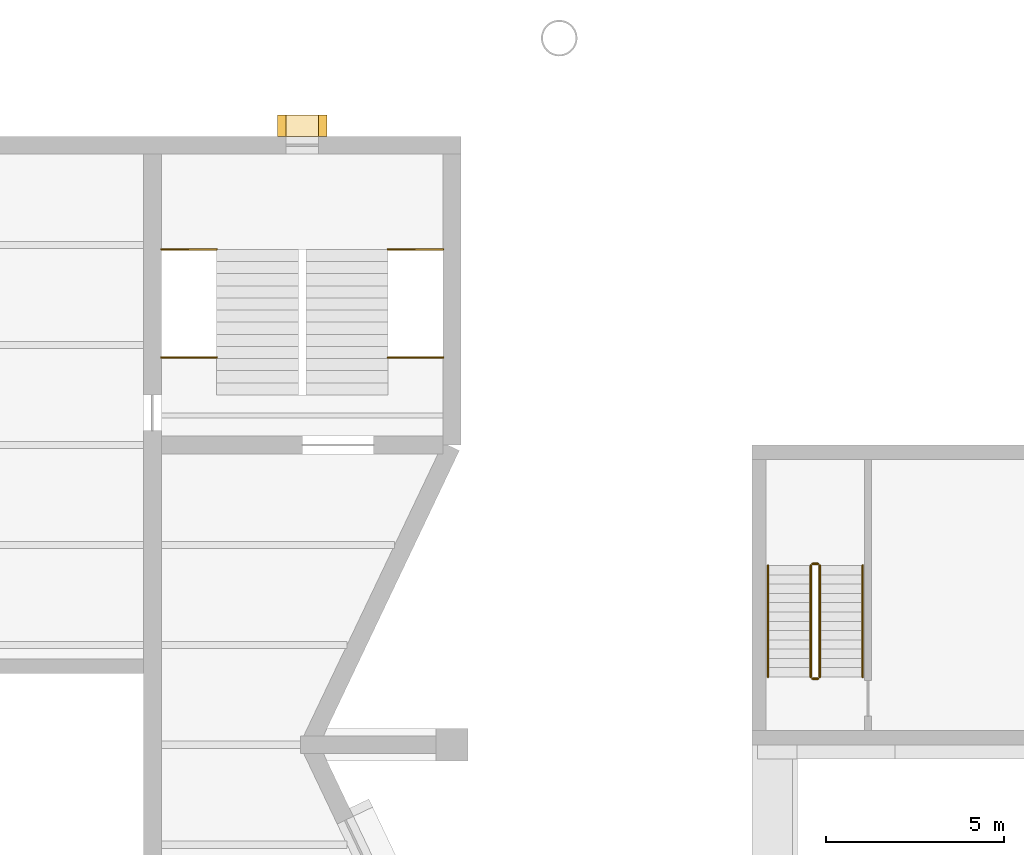
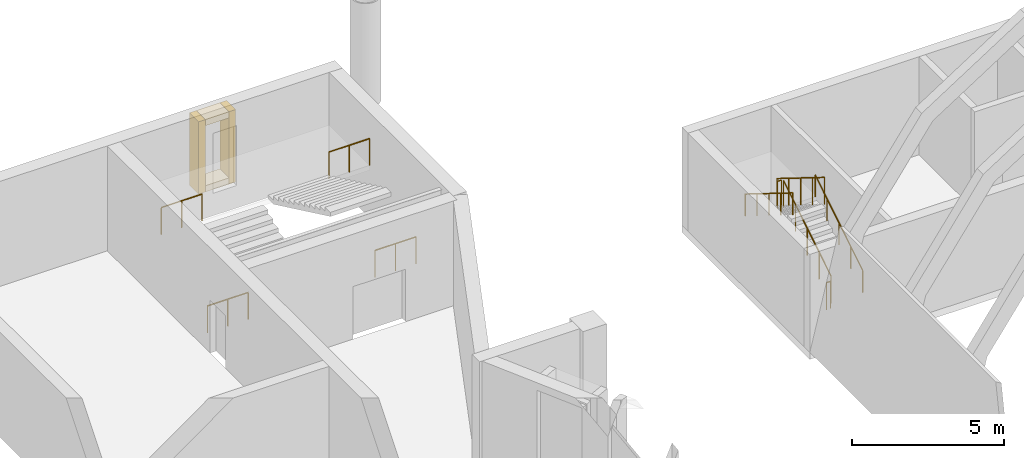
# One storey, part 90 of 96: 10 railings, 4 coverings.
"""IFC4 building model written with IfcOpenShell, lengths in metres."""

from ifc_helpers import new_model, si_unit, direction, frame, origin, origin_2d, place, context, subcontext, project, spatial, rectangle, circle, extrude, material, type_object, element, save


model = new_model("IFC4")

# Units and contexts
model_context = context("Model", 3, precision=1e-05, world=origin(), true_north=direction((0.0, 1.0)))
body_context = subcontext(model_context, "Body", "Model", "MODEL_VIEW")
ifc_project = project(units=[si_unit("LENGTHUNIT", "METRE"), si_unit("AREAUNIT", "SQUARE_METRE"), si_unit("VOLUMEUNIT", "CUBIC_METRE"), si_unit("PLANEANGLEUNIT", "RADIAN"), si_unit("MASSUNIT", "GRAM", prefix="KILO")], contexts=[model_context])

# Site, building, storey
site_placement = place(None, origin())
site = spatial("IfcSite", under=ifc_project, at=site_placement, CompositionType="ELEMENT")
building_placement = place(site_placement, origin())
building = spatial("IfcBuilding", under=site, at=building_placement, Name="Cresset Court Congress Hotel", CompositionType="ELEMENT")
storey_placement = place(building_placement, frame((0.0, 0.0, 6.0)))
storey = spatial("IfcBuildingStorey", under=building, at=storey_placement, Name="L01", CompositionType="ELEMENT", Elevation=6.0)

# Railings
ifc_material_1 = material(Name="Steel and laminated glass", Category="steel")
railing_type_1 = type_object("IfcRailingType", Name="Guard 1100 steel and glass", PredefinedType="GUARDRAIL", material=ifc_material_1)
for number, where, name in (
    (1, (109.449951171875, 111.64990234375, 0.0), "Guard CC-C4L01a"),
    (2, (115.800048828125, 111.64990234375, 0.0), "Guard CC-C4L01b"),
    (3, (109.449951171875, 114.679931640625, 2.10009765625), "Guard CC-C4L01a"),
    (4, (115.800048828125, 114.679931640625, 2.10009765625), "Guard CC-C4L01b"),
):
    element("IfcRailing", number, at=place(storey_placement, frame(where)), inside=storey, type_object=railing_type_1, Name=name, PredefinedType="GUARDRAIL", context=body_context, shape_type="SweptSolid", body=[
        extrude(circle(Radius=0.02490234375, at=origin_2d()), frame((0.0, 0.0, 1.0751953125), z_axis=(1.0, 0.0, 0.0), x_axis=(0.0, 1.0, 0.0)), (0.0, 0.0, 1.0), 1.550048828125),
        extrude(circle(Radius=0.02001953125, at=origin_2d()), origin(), (0.0, 0.0, 1.0), 1.050048828125),
        extrude(circle(Radius=0.02001953125, at=origin_2d()), frame((0.77490234375, 0.0, 0.0)), (0.0, 0.0, 1.0), 1.050048828125),
        extrude(circle(Radius=0.02001953125, at=origin_2d()), frame((1.550048828125, 0.0, 0.0)), (0.0, 0.0, 1.0), 1.050048828125),
    ])
ifc_material_2 = material(Name="Stainless steel", Category="steel")
railing_type_2 = type_object("IfcRailingType", Name="Handrail 900", PredefinedType="HANDRAIL", material=ifc_material_2)
railing_1_placement = place(storey_placement, frame((129.10009765625, 102.699951171875, 0.16162109375)))
element("IfcRailing", 5, at=railing_1_placement, inside=storey, type_object=railing_type_2, Name="L01 ST-E1 stair handrail 1", PredefinedType="HANDRAIL", context=body_context, shape_type="SweptSolid", body=[
    extrude(circle(Radius=0.02392578125, at=origin_2d()), frame((0.0, 0.0, 0.8759765625), z_axis=(0.0, 0.849414166554, 0.527726798313), x_axis=(-1.0, 0.0, 0.0)), (0.0, 0.0, 1.0), 3.67333984375),
    extrude(circle(Radius=0.02099609375, at=origin_2d()), origin(), (0.0, 0.0, 1.0), 0.851806640625),
    extrude(circle(Radius=0.02099609375, at=origin_2d()), frame((0.0, 0.780029296875, 0.484619140625)), (0.0, 0.0, 1.0), 0.851806640625),
    extrude(circle(Radius=0.02099609375, at=origin_2d()), frame((0.0, 1.56005859375, 0.96923828125)), (0.0, 0.0, 1.0), 0.851806640625),
    extrude(circle(Radius=0.02099609375, at=origin_2d()), frame((0.0, 2.340087890625, 1.453857421875)), (0.0, 0.0, 1.0), 0.851806640625),
    extrude(circle(Radius=0.02099609375, at=origin_2d()), frame((0.0, 3.1201171875, 1.9384765625)), (0.0, 0.0, 1.0), 0.851806640625),
])
railing_2_placement = place(storey_placement, frame((126.449951171875, 105.820068359375, 2.261474609375)))
element("IfcRailing", 6, at=railing_2_placement, inside=storey, type_object=railing_type_2, Name="L01 ST-E1 stair handrail 2", PredefinedType="HANDRAIL", context=body_context, shape_type="SweptSolid", body=[
    extrude(circle(Radius=0.02392578125, at=origin_2d()), frame((0.0, 0.0, 0.8759765625), z_axis=(0.0, -0.849414166554, 0.527726798313), x_axis=(1.0, 0.0, 0.0)), (0.0, 0.0, 1.0), 3.67333984375),
    extrude(circle(Radius=0.02099609375, at=origin_2d()), origin(), (0.0, 0.0, 1.0), 0.851806640625),
    extrude(circle(Radius=0.02099609375, at=origin_2d()), frame((0.0, -0.780029296875, 0.484619140625)), (0.0, 0.0, 1.0), 0.851806640625),
    extrude(circle(Radius=0.02099609375, at=origin_2d()), frame((0.0, -1.56005859375, 0.96923828125)), (0.0, 0.0, 1.0), 0.851806640625),
    extrude(circle(Radius=0.02099609375, at=origin_2d()), frame((0.0, -2.340087890625, 1.453857421875)), (0.0, 0.0, 1.0), 0.851806640625),
    extrude(circle(Radius=0.02099609375, at=origin_2d()), frame((0.0, -3.1201171875, 1.9384765625)), (0.0, 0.0, 1.0), 0.851806640625),
])

# Coverings
ifc_material_3 = material(Name="Precast concrete C50", Category="concrete")
covering_type = type_object("IfcCoveringType", Name="Precast reveal frame member 250x600", PredefinedType="CLADDING", material=ifc_material_3)
for number, where, z_axis, x_axis, name in (
    (7, (112.824951171875, 118.14990234375, 0.650146484375), (0.0, 0.0, 1.0), (1.0, 0.0, 0.0), "Reveal frame NC-01-C4a"),
    (8, (113.97509765625, 118.14990234375, 0.650146484375), (0.0, 0.0, 1.0), (1.0, 0.0, 0.0), "Reveal frame NC-01-C4b"),
):
    element("IfcCovering", number, at=place(storey_placement, frame(where, z_axis=z_axis, x_axis=x_axis)), inside=storey, type_object=covering_type, Name=name, PredefinedType="CLADDING", context=body_context, shape_type="SweptSolid", body=[
        extrude(rectangle(XDim=0.25, YDim=0.60009765625, at=origin_2d()), origin(), (0.0, 0.0, 1.0), 2.89990234375),
    ])
for number, where, z_axis, x_axis, name in (
    (9, (113.39990234375, 118.14990234375, 3.300048828125), (0.0, 0.0, 1.0), (1.0, 0.0, 0.0), "Reveal frame NC-01-C4c"),
    (10, (113.39990234375, 118.14990234375, 0.64990234375), (0.0, 0.0, 1.0), (1.0, 0.0, 0.0), "Reveal frame NC-01-C4d"),
):
    element("IfcCovering", number, at=place(storey_placement, frame(where, z_axis=z_axis, x_axis=x_axis)), inside=storey, type_object=covering_type, Name=name, PredefinedType="CLADDING", context=body_context, shape_type="SweptSolid", body=[
        extrude(rectangle(XDim=0.89990234375, YDim=0.60009765625, at=origin_2d()), origin(), (0.0, 0.0, 1.0), 0.25),
    ])

# Railings
ifc_material_4 = material(Name="Stainless steel", Category="steel")
railing_type_3 = type_object("IfcRailingType", Name="Stair guard 1100 internal", PredefinedType="GUARDRAIL", material=ifc_material_4)
railing_3_placement = place(storey_placement, frame((127.89990234375, 102.699951171875, 0.16162109375)))
element("IfcRailing", 11, at=railing_3_placement, inside=storey, type_object=railing_type_3, Name="L01 ST-E1 stair guard 1", PredefinedType="GUARDRAIL", context=body_context, shape_type="SweptSolid", body=[
    extrude(circle(Radius=0.02392578125, at=origin_2d()), frame((0.0, 0.0, 1.076171875), z_axis=(0.0, 0.849414166554, 0.527726798313), x_axis=(-1.0, 0.0, 0.0)), (0.0, 0.0, 1.0), 3.67333984375),
    extrude(circle(Radius=0.02099609375, at=origin_2d()), origin(), (0.0, 0.0, 1.0), 1.052001953125),
    extrude(circle(Radius=0.02099609375, at=origin_2d()), frame((0.0, 0.780029296875, 0.484619140625)), (0.0, 0.0, 1.0), 1.052001953125),
    extrude(circle(Radius=0.02099609375, at=origin_2d()), frame((0.0, 1.56005859375, 0.96923828125)), (0.0, 0.0, 1.0), 1.052001953125),
    extrude(circle(Radius=0.02099609375, at=origin_2d()), frame((0.0, 2.340087890625, 1.453857421875)), (0.0, 0.0, 1.0), 1.052001953125),
    extrude(circle(Radius=0.02099609375, at=origin_2d()), frame((0.0, 3.1201171875, 1.9384765625)), (0.0, 0.0, 1.0), 1.052001953125),
])
railing_4_placement = place(storey_placement, frame((127.85009765625, 105.8701171875, 2.10009765625)))
element("IfcRailing", 12, at=railing_4_placement, inside=storey, type_object=railing_type_3, Name="L01 ST-E1 stair guard 2", PredefinedType="GUARDRAIL", context=body_context, shape_type="SweptSolid", body=[
    extrude(circle(Radius=0.02392578125, at=origin_2d()), frame((0.0, 0.0, 1.076171875), z_axis=(-1.0, 0.0, 0.0), x_axis=(0.0, -1.0, 0.0)), (0.0, 0.0, 1.0), 0.150146484375),
    extrude(circle(Radius=0.02099609375, at=origin_2d()), origin(), (0.0, 0.0, 1.0), 1.052001953125),
    extrude(circle(Radius=0.02099609375, at=origin_2d()), frame((-0.150146484375, 0.0, 0.0)), (0.0, 0.0, 1.0), 1.052001953125),
])
railing_5_placement = place(storey_placement, frame((127.64990234375, 105.820068359375, 2.261474609375)))
element("IfcRailing", 13, at=railing_5_placement, inside=storey, type_object=railing_type_3, Name="L01 ST-E1 stair guard 3", PredefinedType="GUARDRAIL", context=body_context, shape_type="SweptSolid", body=[
    extrude(circle(Radius=0.02392578125, at=origin_2d()), frame((0.0, 0.0, 1.076171875), z_axis=(0.0, -0.849414166554, 0.527726798313), x_axis=(1.0, 0.0, 0.0)), (0.0, 0.0, 1.0), 3.67333984375),
    extrude(circle(Radius=0.02099609375, at=origin_2d()), origin(), (0.0, 0.0, 1.0), 1.052001953125),
    extrude(circle(Radius=0.02099609375, at=origin_2d()), frame((0.0, -0.780029296875, 0.484619140625)), (0.0, 0.0, 1.0), 1.052001953125),
    extrude(circle(Radius=0.02099609375, at=origin_2d()), frame((0.0, -1.56005859375, 0.96923828125)), (0.0, 0.0, 1.0), 1.052001953125),
    extrude(circle(Radius=0.02099609375, at=origin_2d()), frame((0.0, -2.340087890625, 1.453857421875)), (0.0, 0.0, 1.0), 1.052001953125),
    extrude(circle(Radius=0.02099609375, at=origin_2d()), frame((0.0, -3.1201171875, 1.9384765625)), (0.0, 0.0, 1.0), 1.052001953125),
])
railing_6_placement = place(storey_placement, frame((127.85009765625, 102.64990234375, 0.0)))
element("IfcRailing", 14, at=railing_6_placement, inside=storey, type_object=railing_type_3, Name="L01 ST-E1 stair guard 4", PredefinedType="GUARDRAIL", context=body_context, shape_type="SweptSolid", body=[
    extrude(circle(Radius=0.02392578125, at=origin_2d()), frame((0.0, 0.0, 1.076171875), z_axis=(-1.0, 0.0, 0.0), x_axis=(0.0, -1.0, 0.0)), (0.0, 0.0, 1.0), 0.150146484375),
    extrude(circle(Radius=0.02099609375, at=origin_2d()), origin(), (0.0, 0.0, 1.0), 1.052001953125),
    extrude(circle(Radius=0.02099609375, at=origin_2d()), frame((-0.150146484375, 0.0, 0.0)), (0.0, 0.0, 1.0), 1.052001953125),
])

save(model, "model.ifc")
